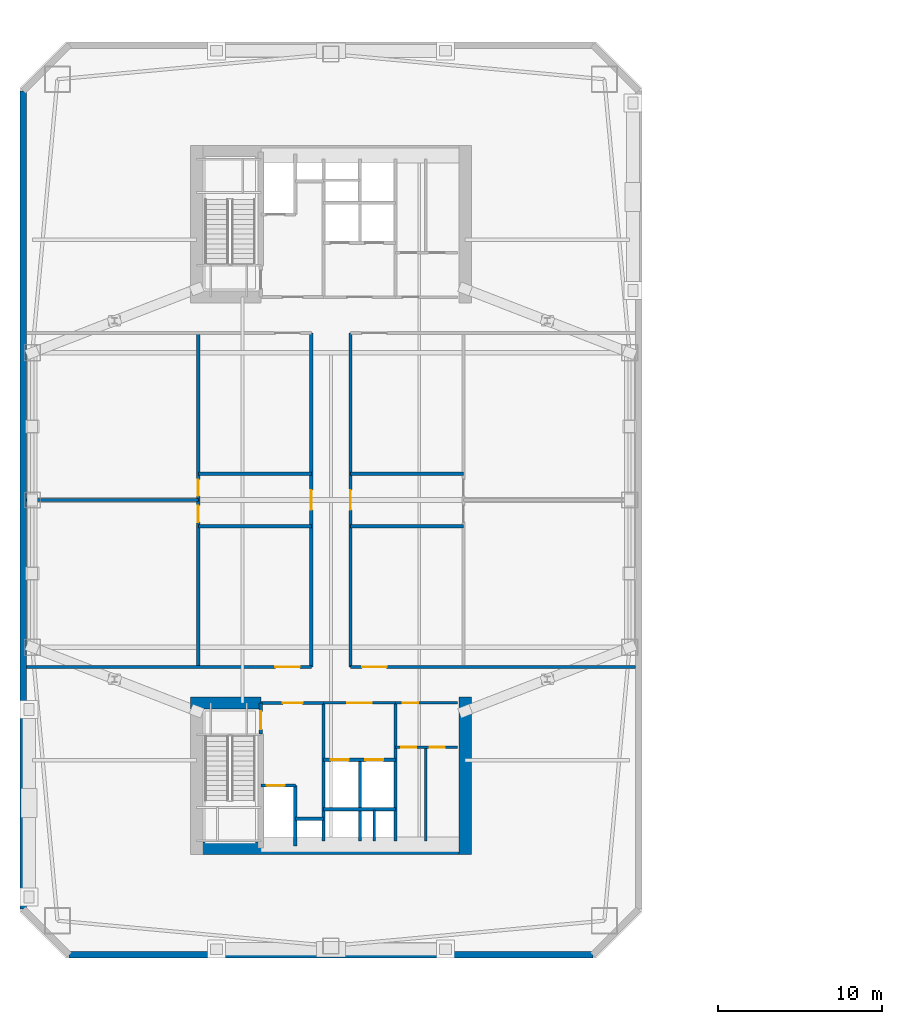
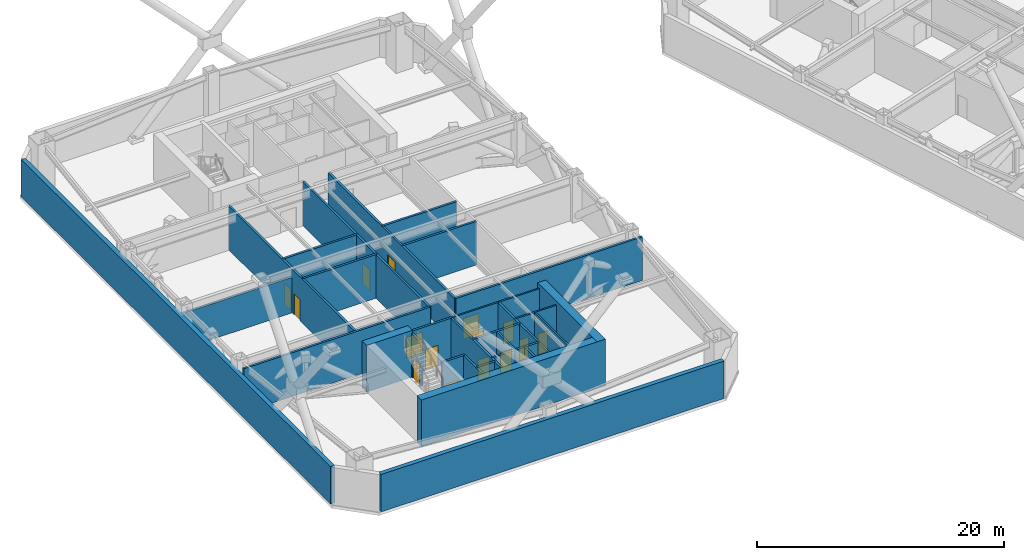
# One storey, part 12 of 19: 30 walls, 15 doors, 15 openings.
"""IFC4 building model written with IfcOpenShell, lengths in metres."""

from ifc_helpers import new_model, si_unit, direction, frame, frame_2d, origin, place, context, subcontext, project, spatial, rectangle, extrude, material, layer, layer_set, type_object, element, fill, save


model = new_model("IFC4")

# Units and contexts
model_context = context("Model", 3, precision=1e-05, world=origin(), true_north=direction((0.0, 1.0)))
body_context = subcontext(model_context, "Body", "Model", "MODEL_VIEW")
ifc_project = project(units=[si_unit("LENGTHUNIT", "METRE"), si_unit("AREAUNIT", "SQUARE_METRE"), si_unit("VOLUMEUNIT", "CUBIC_METRE"), si_unit("PLANEANGLEUNIT", "RADIAN"), si_unit("MASSUNIT", "GRAM", prefix="KILO")], contexts=[model_context])

# Site, building, storey
site_placement = place(None, origin())
site = spatial("IfcSite", under=ifc_project, at=site_placement, CompositionType="ELEMENT")
building_placement = place(site_placement, origin())
building = spatial("IfcBuilding", under=site, at=building_placement, Name="Qiaolan Cultural Towers", CompositionType="ELEMENT")
storey_placement = place(building_placement, frame((0.0, 0.0, 92.0)))
storey = spatial("IfcBuildingStorey", under=building, at=storey_placement, Name="L23", CompositionType="ELEMENT", Elevation=92.0)

# Walls
ifc_material_1 = material(Name="Concrete C60", Category="concrete")
ifc_layer_1 = layer(ifc_material_1, 0.75)
ifc_layer_set_1 = layer_set([ifc_layer_1], Name="Concrete C60")
wall_type_1 = type_object("IfcWallType", Name="WL-CORE-750", PredefinedType="SHEAR", material=ifc_layer_set_1)
wall_1_placement = place(storey_placement, frame((21.425048828125, 12.719970703125, 0.0), z_axis=(0.0, 0.0, 1.0), x_axis=(1.0, 0.0, 0.0)))
element("IfcWall", 1, at=wall_1_placement, inside=storey, type_object=wall_type_1, Name="L23 T1-CS Outer Core Shear Wall", PredefinedType="SHEAR", context=body_context, shape_type="SweptSolid", body=[
    extrude(rectangle(XDim=17.14990234375, YDim=0.75, at=frame_2d((8.574951171875, 0.0))), origin(), (0.0, 0.0, 1.0), 4.60009765625),
])
wall_2_placement = place(storey_placement, frame((38.199951171875, 21.97509765625, 0.0), z_axis=(0.0, 0.0, 1.0), x_axis=(0.0, -1.0, 0.0)))
element("IfcWall", 2, at=wall_2_placement, inside=storey, type_object=wall_type_1, Name="L23 T1-CS East Core Shear Wall", PredefinedType="SHEAR", context=body_context, shape_type="SweptSolid", body=[
    extrude(rectangle(XDim=9.630126953125, YDim=0.75, at=frame_2d((4.81494140625, 0.0))), origin(), (0.0, 0.0, 1.0), 4.60009765625),
])
wall_3_placement = place(storey_placement, frame((21.425048828125, 21.60009765625, 0.0), z_axis=(0.0, 0.0, 1.0), x_axis=(1.0, 0.0, 0.0)))
element("IfcWall", 3, at=wall_3_placement, inside=storey, type_object=wall_type_1, Name="L23 T1-CS Stair Front Shear Wall", PredefinedType="SHEAR", context=body_context, shape_type="SweptSolid", body=[
    extrude(rectangle(XDim=4.294921875, YDim=0.75, at=frame_2d((2.1474609375, 0.0))), origin(), (0.0, 0.0, 1.0), 4.60009765625),
])
ifc_material_2 = material(Name="Precast Concrete C50 Honed Stone Pier", Category="masonry")
ifc_layer_2 = layer(ifc_material_2, 0.39990234375)
ifc_layer_set_2 = layer_set([ifc_layer_2], Name="Precast Concrete C50 Honed Stone Pier")
wall_type_2 = type_object("IfcWallType", Name="WL-EXT-PIER-400", PredefinedType="SOLIDWALL", material=ifc_layer_set_2)
wall_4_placement = place(storey_placement, frame((11.199951171875, 9.0, 0.0), z_axis=(0.0, 0.0, 1.0), x_axis=(0.0, 1.0, 0.0)))
element("IfcWall", 4, at=wall_4_placement, inside=storey, type_object=wall_type_2, Name="L23 West Tower Precast Pier Facade Wall F1", PredefinedType="SOLIDWALL", context=body_context, shape_type="SweptSolid", body=[
    extrude(rectangle(XDim=50.0, YDim=0.39990234375, at=frame_2d((25.0, 0.0))), origin(), (0.0, 0.0, 1.0), 3.699951171875),
])
wall_5_placement = place(storey_placement, frame((46.0, 6.199951171875, 0.0), z_axis=(0.0, 0.0, 1.0), x_axis=(-1.0, 0.0, 0.0)))
element("IfcWall", 5, at=wall_5_placement, inside=storey, type_object=wall_type_2, Name="L23 West Tower Precast Pier Facade Wall F7", PredefinedType="SOLIDWALL", context=body_context, shape_type="SweptSolid", body=[
    extrude(rectangle(XDim=32.0, YDim=0.39990234375, at=frame_2d((16.0, 0.0))), origin(), (0.0, 0.0, 1.0), 3.699951171875),
])

# Wall, opening, door
ifc_material_3 = material(Name="Concrete C35 Fire Wall", Category="concrete")
ifc_layer_3 = layer(ifc_material_3, 0.199951171875)
ifc_layer_set_3 = layer_set([ifc_layer_3], Name="Concrete C35 Fire Wall")
wall_type_3 = type_object("IfcWallType", Name="WL-FIRE-200", PredefinedType="PARTITIONING", material=ifc_layer_set_3)
wall_6_placement = place(storey_placement, frame((25.719970703125, 21.60009765625, 0.0), z_axis=(0.0, 0.0, 1.0), x_axis=(0.0, -1.0, 0.0)))
wall_6 = element("IfcWall", 6, at=wall_6_placement, inside=storey, type_object=wall_type_3, Name="L23 T1-CS Smokeproof Stair Entry Wall", PredefinedType="PARTITIONING", context=body_context, shape_type="SweptSolid", body=[
    extrude(rectangle(XDim=1.900146484375, YDim=0.199951171875, at=frame_2d((0.9501953125, 0.0))), origin(), (0.0, 0.0, 1.0), 4.304931640625),
])
opening_1_placement = place(wall_6_placement, frame((0.52001953125, 0.0, 0.0)))
opening_1 = element("IfcOpeningElement", 7, at=opening_1_placement, cuts=wall_6, Name="Opening FD-04", PredefinedType="OPENING", context=body_context, shape_type="SweptSolid", body=[
    extrude(rectangle(XDim=1.10009765625, YDim=2.050048828125, at=frame_2d((0.550048828125, 1.02490234375))), frame((0.0, 0.10986328125, 0.0), z_axis=(0.0, -1.0, 0.0), x_axis=(1.0, 0.0, 0.0)), (0.0, 0.0, 1.0), 0.219970703125),
])
ifc_material_4 = material(Name="Galvanized Steel Command Fire Door", Category="steel")
door_type_1 = type_object("IfcDoorType", Name="DR-FD90-1100", OperationType="NOTDEFINED", PredefinedType="DOOR", material=ifc_material_4)
door_1_placement = place(opening_1_placement, origin())
door_1 = element("IfcDoor", 8, at=door_1_placement, inside=storey, type_object=door_type_1, Name="L23 ST-W1 Smokeproof Stair Fire Door", OperationType="SINGLE_SWING_LEFT", OverallHeight=2.050048828125, OverallWidth=1.10009765625, PredefinedType="DOOR", context=body_context, shape_type="SweptSolid", body=[
    extrude(rectangle(XDim=1.10009765625, YDim=2.050048828125, at=frame_2d((0.550048828125, 1.02490234375))), frame((0.0, 0.02490234375, 0.0), z_axis=(0.0, -1.0, 0.0), x_axis=(1.0, 0.0, 0.0)), (0.0, 0.0, 1.0), 0.050048828125),
])
fill(opening_1, door_1)

# Wall
wall_7_placement = place(storey_placement, frame((29.550048828125, 21.60009765625, 0.0), z_axis=(0.0, 0.0, 1.0), x_axis=(0.0, -1.0, 0.0)))
element("IfcWall", 9, at=wall_7_placement, inside=storey, type_object=wall_type_3, Name="L23 T1-CS Firefighting Zone Wall", PredefinedType="PARTITIONING", context=body_context, shape_type="SweptSolid", body=[
    extrude(rectangle(XDim=8.43017578125, YDim=0.199951171875, at=frame_2d((4.215087890625, 0.0))), origin(), (0.0, 0.0, 1.0), 4.304931640625),
])

# Wall, opening, door
wall_8_placement = place(storey_placement, frame((25.719970703125, 21.60009765625, 0.0), z_axis=(0.0, 0.0, 1.0), x_axis=(1.0, 0.0, 0.0)))
wall_8 = element("IfcWall", 10, at=wall_8_placement, inside=storey, type_object=wall_type_3, Name="L23 T1-CS Firefighting Lobby Front Wall", PredefinedType="PARTITIONING", context=body_context, shape_type="SweptSolid", body=[
    extrude(rectangle(XDim=3.830078125, YDim=0.199951171875, at=frame_2d((1.9150390625, 0.0))), origin(), (0.0, 0.0, 1.0), 4.304931640625),
])
opening_2_placement = place(wall_8_placement, frame((1.35009765625, 0.0, 0.0)))
opening_2 = element("IfcOpeningElement", 11, at=opening_2_placement, cuts=wall_8, Name="Opening FD-03", PredefinedType="OPENING", context=body_context, shape_type="SweptSolid", body=[
    extrude(rectangle(XDim=1.199951171875, YDim=2.050048828125, at=frame_2d((0.60009765625, 1.02490234375))), frame((0.0, 0.10986328125, 0.0), z_axis=(0.0, -1.0, 0.0), x_axis=(1.0, 0.0, 0.0)), (0.0, 0.0, 1.0), 0.219970703125),
])
ifc_material_5 = material(Name="Galvanized Steel Smokeproof Lobby Fire Door", Category="steel")
door_type_2 = type_object("IfcDoorType", Name="DR-FD90-1200", OperationType="NOTDEFINED", PredefinedType="DOOR", material=ifc_material_5)
door_2_placement = place(opening_2_placement, origin())
door_2 = element("IfcDoor", 12, at=door_2_placement, inside=storey, type_object=door_type_2, Name="L23 FFL-W1 Firefighting Lobby Fire Door", OperationType="SINGLE_SWING_LEFT", OverallHeight=2.050048828125, OverallWidth=1.199951171875, PredefinedType="DOOR", context=body_context, shape_type="SweptSolid", body=[
    extrude(rectangle(XDim=1.199951171875, YDim=2.050048828125, at=frame_2d((0.60009765625, 1.02490234375))), frame((0.0, 0.02490234375, 0.0), z_axis=(0.0, -1.0, 0.0), x_axis=(1.0, 0.0, 0.0)), (0.0, 0.0, 1.0), 0.050048828125),
])
fill(opening_2, door_2)

wall_9_placement = place(storey_placement, frame((25.719970703125, 16.550048828125, 0.0), z_axis=(0.0, 0.0, 1.0), x_axis=(1.0, 0.0, 0.0)))
wall_9 = element("IfcWall", 13, at=wall_9_placement, inside=storey, type_object=wall_type_3, Name="L23 T1-CS Firefighting Shaft Front Wall", PredefinedType="PARTITIONING", context=body_context, shape_type="SweptSolid", body=[
    extrude(rectangle(XDim=2.10009765625, YDim=0.199951171875, at=frame_2d((1.050048828125, 0.0))), origin(), (0.0, 0.0, 1.0), 4.304931640625),
])
opening_3_placement = place(wall_9_placement, frame((0.35009765625, 0.0, 0.0)))
opening_3 = element("IfcOpeningElement", 14, at=opening_3_placement, cuts=wall_9, Name="Opening LD-01", PredefinedType="OPENING", context=body_context, shape_type="SweptSolid", body=[
    extrude(rectangle(XDim=1.10009765625, YDim=2.050048828125, at=frame_2d((0.550048828125, 1.02490234375))), frame((0.0, 0.10986328125, 0.0), z_axis=(0.0, -1.0, 0.0), x_axis=(1.0, 0.0, 0.0)), (0.0, 0.0, 1.0), 0.219970703125),
])
ifc_material_6 = material(Name="Brushed Stainless Steel S30408 Centre-Parting Lift Landing Door", Category="steel")
door_type_3 = type_object("IfcDoorType", Name="DR-LIFT-1100", OperationType="NOTDEFINED", PredefinedType="DOOR", material=ifc_material_6)
door_3_placement = place(opening_3_placement, origin())
door_3 = element("IfcDoor", 15, at=door_3_placement, inside=storey, type_object=door_type_3, Name="L23 FFL-W1 Firefighting Lift Landing Door", OperationType="DOUBLE_DOOR_SLIDING", OverallHeight=2.050048828125, OverallWidth=1.10009765625, PredefinedType="DOOR", context=body_context, shape_type="SweptSolid", body=[
    extrude(rectangle(XDim=1.10009765625, YDim=2.050048828125, at=frame_2d((0.550048828125, 1.02490234375))), frame((0.0, 0.02490234375, 0.0), z_axis=(0.0, -1.0, 0.0), x_axis=(1.0, 0.0, 0.0)), (0.0, 0.0, 1.0), 0.050048828125),
])
fill(opening_3, door_3)

# Walls
wall_10_placement = place(storey_placement, frame((27.820068359375, 16.550048828125, 0.0), z_axis=(0.0, 0.0, 1.0), x_axis=(0.0, -1.0, 0.0)))
element("IfcWall", 16, at=wall_10_placement, inside=storey, type_object=wall_type_3, Name="L23 T1-CS Firefighting Hoistway East Wall", PredefinedType="PARTITIONING", context=body_context, shape_type="SweptSolid", body=[
    extrude(rectangle(XDim=3.699951171875, YDim=0.199951171875, at=frame_2d((1.85009765625, 0.0))), origin(), (0.0, 0.0, 1.0), 4.304931640625),
])
wall_11_placement = place(storey_placement, frame((27.820068359375, 14.52001953125, 0.0), z_axis=(0.0, 0.0, 1.0), x_axis=(1.0, 0.0, 0.0)))
element("IfcWall", 17, at=wall_11_placement, inside=storey, type_object=wall_type_3, Name="L23 T1-CS Pressurization Shaft Front Wall", PredefinedType="PARTITIONING", context=body_context, shape_type="SweptSolid", body=[
    extrude(rectangle(XDim=1.72998046875, YDim=0.199951171875, at=frame_2d((0.864990234375, 0.0))), origin(), (0.0, 0.0, 1.0), 4.304931640625),
])
wall_12_placement = place(storey_placement, frame((33.949951171875, 21.60009765625, 0.0), z_axis=(0.0, 0.0, 1.0), x_axis=(0.0, -1.0, 0.0)))
element("IfcWall", 18, at=wall_12_placement, inside=storey, type_object=wall_type_3, Name="L23 T1-CS Lift Core East Wall", PredefinedType="PARTITIONING", context=body_context, shape_type="SweptSolid", body=[
    extrude(rectangle(XDim=8.43017578125, YDim=0.199951171875, at=frame_2d((4.215087890625, 0.0))), origin(), (0.0, 0.0, 1.0), 4.304931640625),
])

# Wall, openings, doors
wall_13_placement = place(storey_placement, frame((29.550048828125, 18.1201171875, 0.0), z_axis=(0.0, 0.0, 1.0), x_axis=(1.0, 0.0, 0.0)))
wall_13 = element("IfcWall", 19, at=wall_13_placement, inside=storey, type_object=wall_type_3, Name="L23 T1-CS Passenger Lift Shaft Front Wall", PredefinedType="PARTITIONING", context=body_context, shape_type="SweptSolid", body=[
    extrude(rectangle(XDim=4.39990234375, YDim=0.199951171875, at=frame_2d((2.199951171875, 0.0))), origin(), (0.0, 0.0, 1.0), 4.304931640625),
])
opening_4_placement = place(wall_13_placement, frame((0.449951171875, 0.0, 0.0)))
opening_4 = element("IfcOpeningElement", 20, at=opening_4_placement, cuts=wall_13, Name="Opening LD-01", PredefinedType="OPENING", context=body_context, shape_type="SweptSolid", body=[
    extrude(rectangle(XDim=1.10009765625, YDim=2.050048828125, at=frame_2d((0.550048828125, 1.02490234375))), frame((0.0, 0.10986328125, 0.0), z_axis=(0.0, -1.0, 0.0), x_axis=(1.0, 0.0, 0.0)), (0.0, 0.0, 1.0), 0.219970703125),
])
opening_5_placement = place(wall_13_placement, frame((2.550048828125, 0.0, 0.0)))
opening_5 = element("IfcOpeningElement", 21, at=opening_5_placement, cuts=wall_13, Name="Opening LD-01", PredefinedType="OPENING", context=body_context, shape_type="SweptSolid", body=[
    extrude(rectangle(XDim=1.10009765625, YDim=2.050048828125, at=frame_2d((0.550048828125, 1.02490234375))), frame((0.0, 0.10986328125, 0.0), z_axis=(0.0, -1.0, 0.0), x_axis=(1.0, 0.0, 0.0)), (0.0, 0.0, 1.0), 0.219970703125),
])
door_4_placement = place(opening_4_placement, origin())
door_4 = element("IfcDoor", 22, at=door_4_placement, inside=storey, type_object=door_type_3, Name="L23 Passenger Lift 1 Landing Door", OperationType="DOUBLE_DOOR_SLIDING", OverallHeight=2.050048828125, OverallWidth=1.10009765625, PredefinedType="DOOR", context=body_context, shape_type="SweptSolid", body=[
    extrude(rectangle(XDim=1.10009765625, YDim=2.050048828125, at=frame_2d((0.550048828125, 1.02490234375))), frame((0.0, 0.02490234375, 0.0), z_axis=(0.0, -1.0, 0.0), x_axis=(1.0, 0.0, 0.0)), (0.0, 0.0, 1.0), 0.050048828125),
])
fill(opening_4, door_4)
door_5_placement = place(opening_5_placement, origin())
door_5 = element("IfcDoor", 23, at=door_5_placement, inside=storey, type_object=door_type_3, Name="L23 Passenger Lift 2 Landing Door", OperationType="DOUBLE_DOOR_SLIDING", OverallHeight=2.050048828125, OverallWidth=1.10009765625, PredefinedType="DOOR", context=body_context, shape_type="SweptSolid", body=[
    extrude(rectangle(XDim=1.10009765625, YDim=2.050048828125, at=frame_2d((0.550048828125, 1.02490234375))), frame((0.0, 0.02490234375, 0.0), z_axis=(0.0, -1.0, 0.0), x_axis=(1.0, 0.0, 0.0)), (0.0, 0.0, 1.0), 0.050048828125),
])
fill(opening_5, door_5)

# Walls
wall_14_placement = place(storey_placement, frame((31.780029296875, 18.1201171875, 0.0), z_axis=(0.0, 0.0, 1.0), x_axis=(0.0, -1.0, 0.0)))
element("IfcWall", 24, at=wall_14_placement, inside=storey, type_object=wall_type_3, Name="L23 T1-CS Lift Shaft Divider Wall", PredefinedType="PARTITIONING", context=body_context, shape_type="SweptSolid", body=[
    extrude(rectangle(XDim=4.9501953125, YDim=0.199951171875, at=frame_2d((2.47509765625, 0.0))), origin(), (0.0, 0.0, 1.0), 4.304931640625),
])
wall_15_placement = place(storey_placement, frame((29.550048828125, 15.10009765625, 0.0), z_axis=(0.0, 0.0, 1.0), x_axis=(1.0, 0.0, 0.0)))
element("IfcWall", 25, at=wall_15_placement, inside=storey, type_object=wall_type_3, Name="L23 T1-CS Passenger Lift Shaft Back Wall", PredefinedType="PARTITIONING", context=body_context, shape_type="SweptSolid", body=[
    extrude(rectangle(XDim=4.39990234375, YDim=0.199951171875, at=frame_2d((2.199951171875, 0.0))), origin(), (0.0, 0.0, 1.0), 4.304931640625),
])

# Wall, opening, door
wall_16_placement = place(storey_placement, frame((11.39990234375, 23.800048828125, 0.0), z_axis=(0.0, 0.0, 1.0), x_axis=(1.0, 0.0, 0.0)))
wall_16 = element("IfcWall", 26, at=wall_16_placement, inside=storey, type_object=wall_type_3, Name="L23 T1 Fire Rated Plant/Refuge Wall SBW", PredefinedType="PARTITIONING", context=body_context, shape_type="SweptSolid", body=[
    extrude(rectangle(XDim=17.400146484375, YDim=0.199951171875, at=frame_2d((8.7001953125, 0.0))), origin(), (0.0, 0.0, 1.0), 4.304931640625),
])
opening_6_placement = place(wall_16_placement, frame((15.199951171875, 0.0, 0.0)))
opening_6 = element("IfcOpeningElement", 27, at=opening_6_placement, cuts=wall_16, Name="Opening FD-02", PredefinedType="OPENING", context=body_context, shape_type="SweptSolid", body=[
    extrude(rectangle(XDim=1.5, YDim=2.050048828125, at=frame_2d((0.75, 1.02490234375))), frame((0.0, 0.10986328125, 0.0), z_axis=(0.0, -1.0, 0.0), x_axis=(1.0, 0.0, 0.0)), (0.0, 0.0, 1.0), 0.219970703125),
])
ifc_material_7 = material(Name="Galvanized Steel Double Fire Door", Category="steel")
door_type_4 = type_object("IfcDoorType", Name="DR-FD90-1500", OperationType="NOTDEFINED", PredefinedType="DOOR", material=ifc_material_7)
door_6_placement = place(opening_6_placement, origin())
door_6 = element("IfcDoor", 28, at=door_6_placement, inside=storey, type_object=door_type_4, Name="L23 T1 West South Refuge Fire Door", OperationType="SINGLE_SWING_LEFT", OverallHeight=2.050048828125, OverallWidth=1.5, PredefinedType="DOOR", context=body_context, shape_type="SweptSolid", body=[
    extrude(rectangle(XDim=1.5, YDim=2.050048828125, at=frame_2d((0.75, 1.02490234375))), frame((0.0, 0.02490234375, 0.0), z_axis=(0.0, -1.0, 0.0), x_axis=(1.0, 0.0, 0.0)), (0.0, 0.0, 1.0), 0.050048828125),
])
fill(opening_6, door_6)

wall_17_placement = place(storey_placement, frame((31.199951171875, 23.800048828125, 0.0), z_axis=(0.0, 0.0, 1.0), x_axis=(1.0, 0.0, 0.0)))
wall_17 = element("IfcWall", 29, at=wall_17_placement, inside=storey, type_object=wall_type_3, Name="L23 T1 Fire Rated Plant/Refuge Wall SBE", PredefinedType="PARTITIONING", context=body_context, shape_type="SweptSolid", body=[
    extrude(rectangle(XDim=17.400146484375, YDim=0.199951171875, at=frame_2d((8.7001953125, 0.0))), origin(), (0.0, 0.0, 1.0), 4.304931640625),
])
opening_7_placement = place(wall_17_placement, frame((0.699951171875, 0.0, 0.0)))
opening_7 = element("IfcOpeningElement", 30, at=opening_7_placement, cuts=wall_17, Name="Opening FD-02", PredefinedType="OPENING", context=body_context, shape_type="SweptSolid", body=[
    extrude(rectangle(XDim=1.5, YDim=2.050048828125, at=frame_2d((0.75, 1.02490234375))), frame((0.0, 0.10986328125, 0.0), z_axis=(0.0, -1.0, 0.0), x_axis=(1.0, 0.0, 0.0)), (0.0, 0.0, 1.0), 0.219970703125),
])
door_7_placement = place(opening_7_placement, origin())
door_7 = element("IfcDoor", 31, at=door_7_placement, inside=storey, type_object=door_type_4, Name="L23 T1 East South Refuge Fire Door", OperationType="SINGLE_SWING_RIGHT", OverallHeight=2.050048828125, OverallWidth=1.5, PredefinedType="DOOR", context=body_context, shape_type="SweptSolid", body=[
    extrude(rectangle(XDim=1.5, YDim=2.050048828125, at=frame_2d((0.75, 1.02490234375))), frame((0.0, 0.02490234375, 0.0), z_axis=(0.0, -1.0, 0.0), x_axis=(1.0, 0.0, 0.0)), (0.0, 0.0, 1.0), 0.050048828125),
])
fill(opening_7, door_7)

wall_18_placement = place(storey_placement, frame((28.800048828125, 23.800048828125, 0.0), z_axis=(0.0, 0.0, 1.0), x_axis=(0.0, 1.0, 0.0)))
wall_18 = element("IfcWall", 32, at=wall_18_placement, inside=storey, type_object=wall_type_3, Name="L23 T1 Fire Rated Plant/Refuge Wall CL", PredefinedType="PARTITIONING", context=body_context, shape_type="SweptSolid", body=[
    extrude(rectangle(XDim=20.39990234375, YDim=0.199951171875, at=frame_2d((10.199951171875, 0.0))), origin(), (0.0, 0.0, 1.0), 4.304931640625),
])
opening_8_placement = place(wall_18_placement, frame((9.60009765625, 0.0, 0.0)))
opening_8 = element("IfcOpeningElement", 33, at=opening_8_placement, cuts=wall_18, Name="Opening FD-03", PredefinedType="OPENING", context=body_context, shape_type="SweptSolid", body=[
    extrude(rectangle(XDim=1.199951171875, YDim=2.050048828125, at=frame_2d((0.60009765625, 1.02490234375))), frame((0.0, 0.10986328125, 0.0), z_axis=(0.0, -1.0, 0.0), x_axis=(1.0, 0.0, 0.0)), (0.0, 0.0, 1.0), 0.219970703125),
])
door_8_placement = place(opening_8_placement, origin())
door_8 = element("IfcDoor", 34, at=door_8_placement, inside=storey, type_object=door_type_2, Name="L23 T1 West Plant Passage Door", OperationType="SINGLE_SWING_LEFT", OverallHeight=2.050048828125, OverallWidth=1.199951171875, PredefinedType="DOOR", context=body_context, shape_type="SweptSolid", body=[
    extrude(rectangle(XDim=1.199951171875, YDim=2.050048828125, at=frame_2d((0.60009765625, 1.02490234375))), frame((0.0, 0.02490234375, 0.0), z_axis=(0.0, -1.0, 0.0), x_axis=(1.0, 0.0, 0.0)), (0.0, 0.0, 1.0), 0.050048828125),
])
fill(opening_8, door_8)

wall_19_placement = place(storey_placement, frame((31.199951171875, 23.800048828125, 0.0), z_axis=(0.0, 0.0, 1.0), x_axis=(0.0, 1.0, 0.0)))
wall_19 = element("IfcWall", 35, at=wall_19_placement, inside=storey, type_object=wall_type_3, Name="L23 T1 Fire Rated Plant/Refuge Wall CR", PredefinedType="PARTITIONING", context=body_context, shape_type="SweptSolid", body=[
    extrude(rectangle(XDim=20.39990234375, YDim=0.199951171875, at=frame_2d((10.199951171875, 0.0))), origin(), (0.0, 0.0, 1.0), 4.304931640625),
])
opening_9_placement = place(wall_19_placement, frame((9.60009765625, 0.0, 0.0)))
opening_9 = element("IfcOpeningElement", 36, at=opening_9_placement, cuts=wall_19, Name="Opening FD-03", PredefinedType="OPENING", context=body_context, shape_type="SweptSolid", body=[
    extrude(rectangle(XDim=1.199951171875, YDim=2.050048828125, at=frame_2d((0.60009765625, 1.02490234375))), frame((0.0, 0.10986328125, 0.0), z_axis=(0.0, -1.0, 0.0), x_axis=(1.0, 0.0, 0.0)), (0.0, 0.0, 1.0), 0.219970703125),
])
door_9_placement = place(opening_9_placement, origin())
door_9 = element("IfcDoor", 37, at=door_9_placement, inside=storey, type_object=door_type_2, Name="L23 T1 East Plant Passage Door", OperationType="SINGLE_SWING_RIGHT", OverallHeight=2.050048828125, OverallWidth=1.199951171875, PredefinedType="DOOR", context=body_context, shape_type="SweptSolid", body=[
    extrude(rectangle(XDim=1.199951171875, YDim=2.050048828125, at=frame_2d((0.60009765625, 1.02490234375))), frame((0.0, 0.02490234375, 0.0), z_axis=(0.0, -1.0, 0.0), x_axis=(1.0, 0.0, 0.0)), (0.0, 0.0, 1.0), 0.050048828125),
])
fill(opening_9, door_9)

# Wall, openings, doors
wall_20_placement = place(storey_placement, frame((21.89990234375, 23.800048828125, 0.0), z_axis=(0.0, 0.0, 1.0), x_axis=(0.0, 1.0, 0.0)))
wall_20 = element("IfcWall", 38, at=wall_20_placement, inside=storey, type_object=wall_type_3, Name="L23 T1 Fire Rated Plant/Refuge Wall WL", PredefinedType="PARTITIONING", context=body_context, shape_type="SweptSolid", body=[
    extrude(rectangle(XDim=20.39990234375, YDim=0.199951171875, at=frame_2d((10.199951171875, 0.0))), origin(), (0.0, 0.0, 1.0), 4.304931640625),
])
opening_10_placement = place(wall_20_placement, frame((8.85009765625, 0.0, 0.0)))
opening_10 = element("IfcOpeningElement", 39, at=opening_10_placement, cuts=wall_20, Name="Opening FD-07", PredefinedType="OPENING", context=body_context, shape_type="SweptSolid", body=[
    extrude(rectangle(XDim=1.0, YDim=2.050048828125, at=frame_2d((0.5, 1.02490234375))), frame((0.0, 0.10986328125, 0.0), z_axis=(0.0, -1.0, 0.0), x_axis=(1.0, 0.0, 0.0)), (0.0, 0.0, 1.0), 0.219970703125),
])
opening_11_placement = place(wall_20_placement, frame((10.449951171875, 0.0, 0.0)))
opening_11 = element("IfcOpeningElement", 40, at=opening_11_placement, cuts=wall_20, Name="Opening FD-07", PredefinedType="OPENING", context=body_context, shape_type="SweptSolid", body=[
    extrude(rectangle(XDim=1.0, YDim=2.050048828125, at=frame_2d((0.5, 1.02490234375))), frame((0.0, 0.10986328125, 0.0), z_axis=(0.0, -1.0, 0.0), x_axis=(1.0, 0.0, 0.0)), (0.0, 0.0, 1.0), 0.219970703125),
])
ifc_material_8 = material(Name="Painted Steel Riser Fire Door", Category="steel")
door_type_5 = type_object("IfcDoorType", Name="DR-FD60-1000", OperationType="NOTDEFINED", PredefinedType="DOOR", material=ifc_material_8)
door_10_placement = place(opening_10_placement, origin())
door_10 = element("IfcDoor", 41, at=door_10_placement, inside=storey, type_object=door_type_5, Name="L23 T1 West Chiller Plant Door", OperationType="SINGLE_SWING_LEFT", OverallHeight=2.050048828125, OverallWidth=1.0, PredefinedType="DOOR", context=body_context, shape_type="SweptSolid", body=[
    extrude(rectangle(XDim=1.0, YDim=2.050048828125, at=frame_2d((0.5, 1.02490234375))), frame((0.0, 0.02490234375, 0.0), z_axis=(0.0, -1.0, 0.0), x_axis=(1.0, 0.0, 0.0)), (0.0, 0.0, 1.0), 0.050048828125),
])
fill(opening_10, door_10)
door_11_placement = place(opening_11_placement, origin())
door_11 = element("IfcDoor", 42, at=door_11_placement, inside=storey, type_object=door_type_5, Name="L23 T1 West Fire Water Pump Plant Door", OperationType="SINGLE_SWING_RIGHT", OverallHeight=2.050048828125, OverallWidth=1.0, PredefinedType="DOOR", context=body_context, shape_type="SweptSolid", body=[
    extrude(rectangle(XDim=1.0, YDim=2.050048828125, at=frame_2d((0.5, 1.02490234375))), frame((0.0, 0.02490234375, 0.0), z_axis=(0.0, -1.0, 0.0), x_axis=(1.0, 0.0, 0.0)), (0.0, 0.0, 1.0), 0.050048828125),
])
fill(opening_11, door_11)

# Walls
wall_21_placement = place(storey_placement, frame((11.39990234375, 34.0, 0.0), z_axis=(0.0, 0.0, 1.0), x_axis=(1.0, 0.0, 0.0)))
element("IfcWall", 43, at=wall_21_placement, inside=storey, type_object=wall_type_3, Name="L23 T1 Fire Rated Plant/Refuge Wall WMID", PredefinedType="PARTITIONING", context=body_context, shape_type="SweptSolid", body=[
    extrude(rectangle(XDim=10.5, YDim=0.199951171875, at=frame_2d((5.25, 0.0))), origin(), (0.0, 0.0, 1.0), 3.514892578125),
])
for number, where, z_axis, x_axis, name in (
    (44, (21.89990234375, 32.39990234375, 0.0), (0.0, 0.0, 1.0), (1.0, 0.0, 0.0), "L23 T1 Fire Rated Plant/Refuge Wall SVS-WL"),
    (45, (21.89990234375, 35.60009765625, 0.0), (0.0, 0.0, 1.0), (1.0, 0.0, 0.0), "L23 T1 Fire Rated Plant/Refuge Wall SVS-NL"),
    (46, (31.199951171875, 32.39990234375, 0.0), (0.0, 0.0, 1.0), (1.0, 0.0, 0.0), "L23 T1 Fire Rated Plant/Refuge Wall SVS-WR"),
    (47, (31.199951171875, 35.60009765625, 0.0), (0.0, 0.0, 1.0), (1.0, 0.0, 0.0), "L23 T1 Fire Rated Plant/Refuge Wall SVS-NR"),
):
    element("IfcWall", number, at=place(storey_placement, frame(where, z_axis=z_axis, x_axis=x_axis)), inside=storey, type_object=wall_type_3, Name=name, PredefinedType="PARTITIONING", context=body_context, shape_type="SweptSolid", body=[
        extrude(rectangle(XDim=6.900146484375, YDim=0.199951171875, at=frame_2d((3.4501953125, 0.0))), origin(), (0.0, 0.0, 1.0), 4.304931640625),
    ])

# Wall, opening, door
ifc_material_9 = material(Name="Autoclaved Aerated Concrete Block B06", Category="concrete")
ifc_layer_4 = layer(ifc_material_9, 0.14990234375)
ifc_layer_set_4 = layer_set([ifc_layer_4], Name="Autoclaved Aerated Concrete Block B06")
wall_type_4 = type_object("IfcWallType", Name="WL-PART-150", PredefinedType="PARTITIONING", material=ifc_layer_set_4)
wall_22_placement = place(storey_placement, frame((29.550048828125, 21.60009765625, 0.0), z_axis=(0.0, 0.0, 1.0), x_axis=(1.0, 0.0, 0.0)))
wall_22 = element("IfcWall", 48, at=wall_22_placement, inside=storey, type_object=wall_type_4, Name="L23 T1-CS Passenger Lift Lobby Front Wall", PredefinedType="PARTITIONING", context=body_context, shape_type="SweptSolid", body=[
    extrude(rectangle(XDim=4.39990234375, YDim=0.14990234375, at=frame_2d((2.199951171875, 0.0))), origin(), (0.0, 0.0, 1.0), 4.304931640625),
])
opening_12_placement = place(wall_22_placement, frame((1.449951171875, 0.0, 0.0)))
opening_12 = element("IfcOpeningElement", 49, at=opening_12_placement, cuts=wall_22, Name="Opening FD-05", PredefinedType="OPENING", context=body_context, shape_type="SweptSolid", body=[
    extrude(rectangle(XDim=1.5, YDim=2.050048828125, at=frame_2d((0.75, 1.02490234375))), frame((0.0, 0.0849609375, 0.0), z_axis=(0.0, -1.0, 0.0), x_axis=(1.0, 0.0, 0.0)), (0.0, 0.0, 1.0), 0.169921875),
])
ifc_material_10 = material(Name="Painted Steel Lift Lobby Fire Door", Category="steel")
door_type_6 = type_object("IfcDoorType", Name="DR-FD60-1500", OperationType="NOTDEFINED", PredefinedType="DOOR", material=ifc_material_10)
door_12_placement = place(opening_12_placement, origin())
door_12 = element("IfcDoor", 50, at=door_12_placement, inside=storey, type_object=door_type_6, Name="L23 Passenger Lift Lobby Entrance", OperationType="SINGLE_SWING_LEFT", OverallHeight=2.050048828125, OverallWidth=1.5, PredefinedType="DOOR", context=body_context, shape_type="SweptSolid", body=[
    extrude(rectangle(XDim=1.5, YDim=2.050048828125, at=frame_2d((0.75, 1.02490234375))), frame((0.0, 0.02490234375, 0.0), z_axis=(0.0, -1.0, 0.0), x_axis=(1.0, 0.0, 0.0)), (0.0, 0.0, 1.0), 0.050048828125),
])
fill(opening_12, door_12)

# Wall
wall_23_placement = place(storey_placement, frame((32.64990234375, 15.050048828125, 0.0), z_axis=(0.0, 0.0, 1.0), x_axis=(0.0, -1.0, 0.0)))
element("IfcWall", 51, at=wall_23_placement, inside=storey, type_object=wall_type_4, Name="L23 T1-CS Core Rear Asymmetric Wall", PredefinedType="PARTITIONING", context=body_context, shape_type="SweptSolid", body=[
    extrude(rectangle(XDim=1.880126953125, YDim=0.14990234375, at=frame_2d((0.93994140625, 0.0))), origin(), (0.0, 0.0, 1.0), 4.304931640625),
])

# Wall, opening, door
wall_24_placement = place(storey_placement, frame((33.949951171875, 21.60009765625, 0.0), z_axis=(0.0, 0.0, 1.0), x_axis=(1.0, 0.0, 0.0)))
wall_24 = element("IfcWall", 52, at=wall_24_placement, inside=storey, type_object=wall_type_4, Name="L23 T1-CS Sanitary Core Front Wall", PredefinedType="PARTITIONING", context=body_context, shape_type="SweptSolid", body=[
    extrude(rectangle(XDim=3.800048828125, YDim=0.14990234375, at=frame_2d((1.89990234375, 0.0))), origin(), (0.0, 0.0, 1.0), 4.304931640625),
])
opening_13_placement = place(wall_24_placement, frame((0.449951171875, 0.0, 0.0)))
opening_13 = element("IfcOpeningElement", 53, at=opening_13_placement, cuts=wall_24, Name="Opening ID-05", PredefinedType="OPENING", context=body_context, shape_type="SweptSolid", body=[
    extrude(rectangle(XDim=0.949951171875, YDim=2.050048828125, at=frame_2d((0.47509765625, 1.02490234375))), frame((0.0, 0.0849609375, 0.0), z_axis=(0.0, -1.0, 0.0), x_axis=(1.0, 0.0, 0.0)), (0.0, 0.0, 1.0), 0.169921875),
])
ifc_material_11 = material(Name="Fire-Rated Laminate Accessible Core Door", Category="timber")
door_type_7 = type_object("IfcDoorType", Name="DR-INT-950", OperationType="NOTDEFINED", PredefinedType="DOOR", material=ifc_material_11)
door_13_placement = place(opening_13_placement, origin())
door_13 = element("IfcDoor", 54, at=door_13_placement, inside=storey, type_object=door_type_7, Name="L23 Sanitary Vestibule Door", OperationType="SINGLE_SWING_LEFT", OverallHeight=2.050048828125, OverallWidth=0.949951171875, PredefinedType="DOOR", context=body_context, shape_type="SweptSolid", body=[
    extrude(rectangle(XDim=0.949951171875, YDim=2.050048828125, at=frame_2d((0.47509765625, 1.02490234375))), frame((0.0, 0.02490234375, 0.0), z_axis=(0.0, -1.0, 0.0), x_axis=(1.0, 0.0, 0.0)), (0.0, 0.0, 1.0), 0.050048828125),
])
fill(opening_13, door_13)

# Wall, openings, doors
wall_25_placement = place(storey_placement, frame((33.949951171875, 18.89990234375, 0.0), z_axis=(0.0, 0.0, 1.0), x_axis=(1.0, 0.0, 0.0)))
wall_25 = element("IfcWall", 55, at=wall_25_placement, inside=storey, type_object=wall_type_4, Name="L23 T1-CS Restroom Vestibule Wall", PredefinedType="PARTITIONING", context=body_context, shape_type="SweptSolid", body=[
    extrude(rectangle(XDim=3.800048828125, YDim=0.14990234375, at=frame_2d((1.89990234375, 0.0))), origin(), (0.0, 0.0, 1.0), 4.304931640625),
])
opening_14_placement = place(wall_25_placement, frame((0.35009765625, 0.0, 0.0)))
opening_14 = element("IfcOpeningElement", 56, at=opening_14_placement, cuts=wall_25, Name="Opening ID-06", PredefinedType="OPENING", context=body_context, shape_type="SweptSolid", body=[
    extrude(rectangle(XDim=0.89990234375, YDim=2.050048828125, at=frame_2d((0.449951171875, 1.02490234375))), frame((0.0, 0.0849609375, 0.0), z_axis=(0.0, -1.0, 0.0), x_axis=(1.0, 0.0, 0.0)), (0.0, 0.0, 1.0), 0.169921875),
])
opening_15_placement = place(wall_25_placement, frame((2.10009765625, 0.0, 0.0)))
opening_15 = element("IfcOpeningElement", 57, at=opening_15_placement, cuts=wall_25, Name="Opening ID-06", PredefinedType="OPENING", context=body_context, shape_type="SweptSolid", body=[
    extrude(rectangle(XDim=0.89990234375, YDim=2.050048828125, at=frame_2d((0.449951171875, 1.02490234375))), frame((0.0, 0.0849609375, 0.0), z_axis=(0.0, -1.0, 0.0), x_axis=(1.0, 0.0, 0.0)), (0.0, 0.0, 1.0), 0.169921875),
])
ifc_material_12 = material(Name="Fire-Rated Laminate Core Service Door", Category="timber")
door_type_8 = type_object("IfcDoorType", Name="DR-INT-900", OperationType="NOTDEFINED", PredefinedType="DOOR", material=ifc_material_12)
door_14_placement = place(opening_14_placement, origin())
door_14 = element("IfcDoor", 58, at=door_14_placement, inside=storey, type_object=door_type_8, Name="L23 Men Restroom Door", OperationType="SINGLE_SWING_LEFT", OverallHeight=2.050048828125, OverallWidth=0.89990234375, PredefinedType="DOOR", context=body_context, shape_type="SweptSolid", body=[
    extrude(rectangle(XDim=0.89990234375, YDim=2.050048828125, at=frame_2d((0.449951171875, 1.02490234375))), frame((0.0, 0.02490234375, 0.0), z_axis=(0.0, -1.0, 0.0), x_axis=(1.0, 0.0, 0.0)), (0.0, 0.0, 1.0), 0.050048828125),
])
fill(opening_14, door_14)
door_15_placement = place(opening_15_placement, origin())
door_15 = element("IfcDoor", 59, at=door_15_placement, inside=storey, type_object=door_type_8, Name="L23 Accessible & Women Restroom Door", OperationType="SINGLE_SWING_RIGHT", OverallHeight=2.050048828125, OverallWidth=0.89990234375, PredefinedType="DOOR", context=body_context, shape_type="SweptSolid", body=[
    extrude(rectangle(XDim=0.89990234375, YDim=2.050048828125, at=frame_2d((0.449951171875, 1.02490234375))), frame((0.0, 0.02490234375, 0.0), z_axis=(0.0, -1.0, 0.0), x_axis=(1.0, 0.0, 0.0)), (0.0, 0.0, 1.0), 0.050048828125),
])
fill(opening_15, door_15)

# Wall
wall_26_placement = place(storey_placement, frame((35.800048828125, 18.89990234375, 0.0), z_axis=(0.0, 0.0, 1.0), x_axis=(0.0, -1.0, 0.0)))
element("IfcWall", 60, at=wall_26_placement, inside=storey, type_object=wall_type_4, Name="L23 T1-CS Restroom Divider Wall", PredefinedType="PARTITIONING", context=body_context, shape_type="SweptSolid", body=[
    extrude(rectangle(XDim=5.72998046875, YDim=0.14990234375, at=frame_2d((2.864990234375, 0.0))), origin(), (0.0, 0.0, 1.0), 4.304931640625),
])

save(model, "model.ifc")
